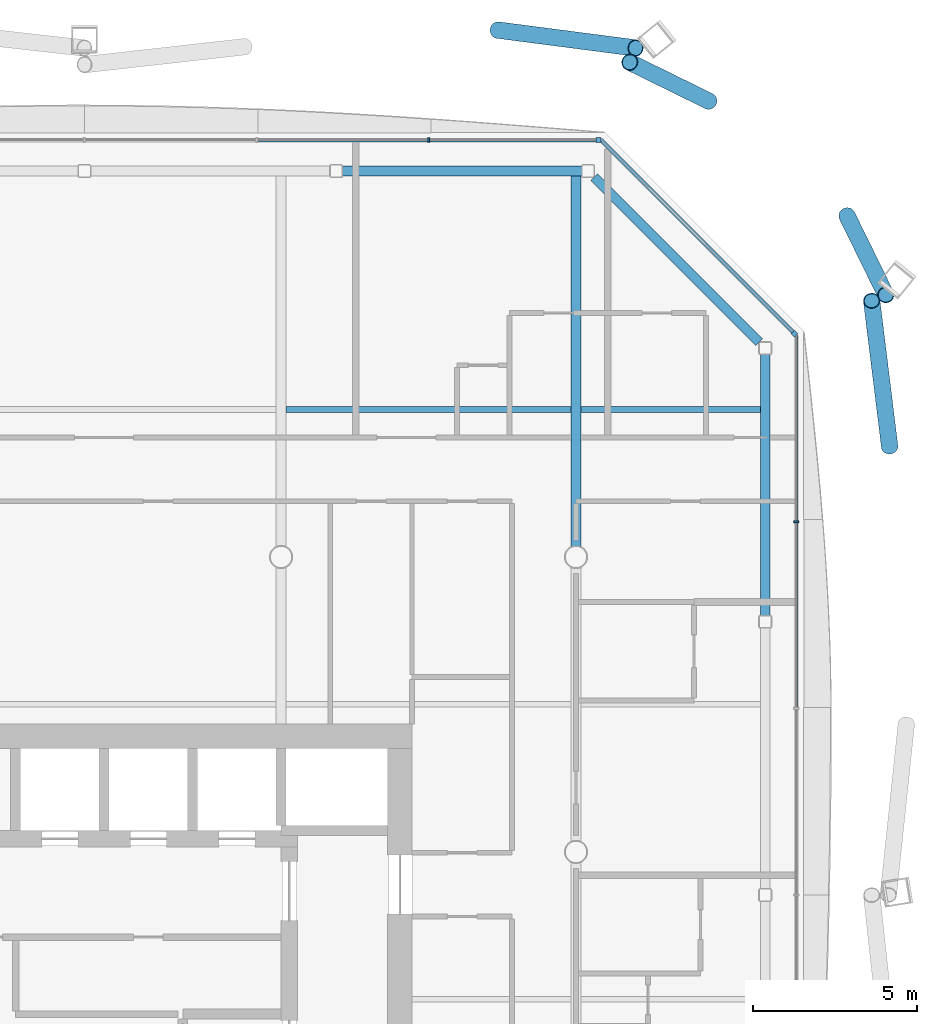
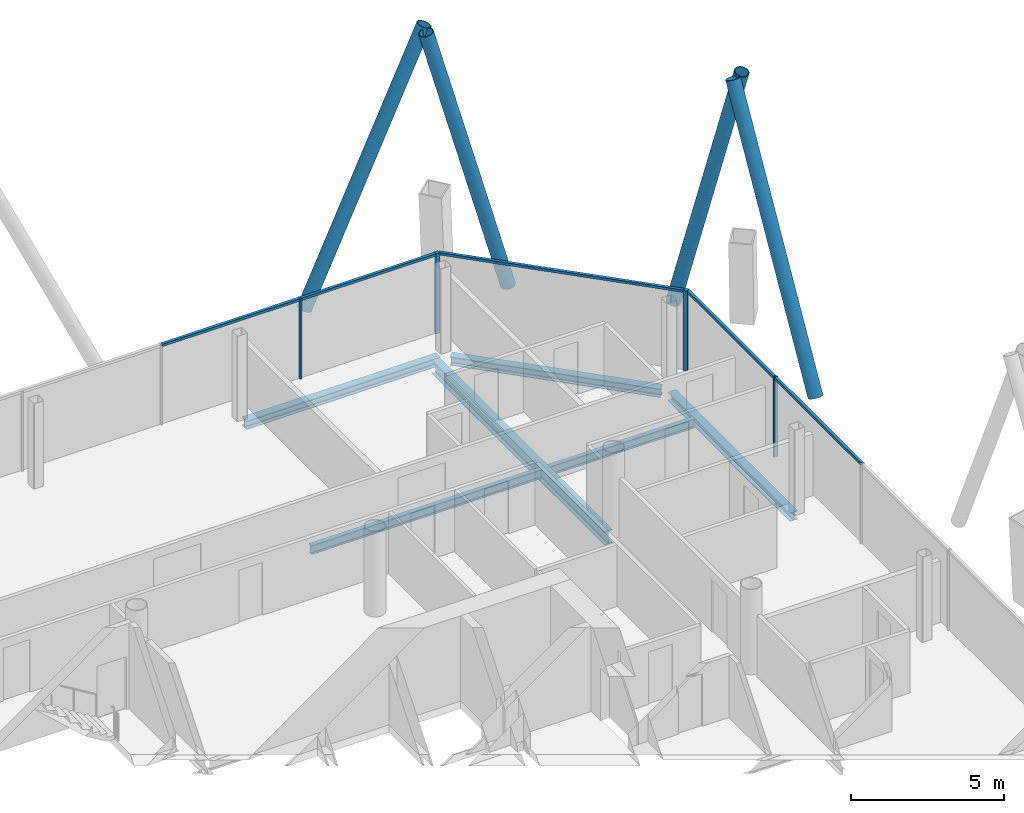
# One storey, part 12 of 20: 13 members, 6 beams, 3 elements without a shape of their own.
"""IFC4 building model written with IfcOpenShell, lengths in metres."""

from ifc_helpers import new_model, si_unit, direction, frame, origin, origin_2d, place, context, subcontext, project, spatial, rectangle, hollow_circle, i_section, extrude, material, material_profile, profile_set, type_object, element, aggregate, save


model = new_model("IFC4")

# Units and contexts
model_context = context("Model", 3, precision=1e-05, world=origin(), true_north=direction((0.0, 1.0)))
body_context = subcontext(model_context, "Body", "Model", "MODEL_VIEW")
ifc_project = project(units=[si_unit("LENGTHUNIT", "METRE"), si_unit("AREAUNIT", "SQUARE_METRE"), si_unit("VOLUMEUNIT", "CUBIC_METRE"), si_unit("PLANEANGLEUNIT", "RADIAN"), si_unit("MASSUNIT", "GRAM", prefix="KILO")], contexts=[model_context])

# Site, building, storey
site_placement = place(None, origin())
site = spatial("IfcSite", under=ifc_project, at=site_placement, CompositionType="ELEMENT")
building_placement = place(site_placement, origin())
building = spatial("IfcBuilding", under=site, at=building_placement, Name="Tskaro Facet Tower", CompositionType="ELEMENT")
storey_placement = place(building_placement, frame((0.0, 0.0, 152.10009765625)))
storey = spatial("IfcBuildingStorey", under=building, at=storey_placement, Name="L37", CompositionType="ELEMENT", Elevation=152.10009765625)

# Members
ifc_material_1 = material(Name="Steel S355J2H", Category="steel")
ifc_material_profile_1 = material_profile(ifc_material_1, hollow_circle(Radius=0.25390625, WallThickness=0.02490234375, at=origin_2d()), Name="CHS 508x25")
ifc_profile_set_1 = profile_set([ifc_material_profile_1], Name="Steel S355J2H")
member_type_1 = type_object("IfcMemberType", Name="CHS 508x25 brace", PredefinedType="BRACE", material=ifc_profile_set_1)
member_1_placement = place(storey_placement, frame((27.56982421875, 12.375, 0.0), z_axis=(-0.049180857001, 0.398947923347, 0.915653754299), x_axis=(-0.992486990841, -0.122350206419, 0.0)))
element("IfcMember", 1, at=member_1_placement, inside=storey, type_object=member_type_1, Name="CHS 508x25 XB05A/3", PredefinedType="BRACE", context=body_context, shape_type="SweptSolid", body=[
    extrude(hollow_circle(Radius=0.25390625, WallThickness=0.02490234375, at=origin_2d()), origin(), (0.0, 0.0, 1.0), 11.1396484375),
])
for number, where, z_axis, x_axis, name in (
    (2, (22.051513671875, 22.911865234375, 0.0), (-0.228679127936, 0.112302745825, 0.967002559317), (-0.440806291115, -0.897602258082, 0.0), "CHS 508x25 XB06A/3"),
    (3, (26.27099609375, 19.41064453125, 0.0), (0.112302745825, -0.228679127936, 0.967002559317), (0.897602258082, 0.440806291115, 0.0), "CHS 508x25 XB06B/3"),
):
    element("IfcMember", number, at=place(storey_placement, frame(where, z_axis=z_axis, x_axis=x_axis)), inside=storey, type_object=member_type_1, Name=name, PredefinedType="BRACE", context=body_context, shape_type="SweptSolid", body=[
        extrude(hollow_circle(Radius=0.25390625, WallThickness=0.02490234375, at=origin_2d()), origin(), (0.0, 0.0, 1.0), 10.548095703125),
    ])
member_2_placement = place(storey_placement, frame((15.6142578125, 25.07763671875, 0.0), z_axis=(0.380657351242, -0.049574083425, 0.923386371568), x_axis=(0.129142268384, 0.991626075956, 0.0)))
element("IfcMember", 4, at=member_2_placement, inside=storey, type_object=member_type_1, Name="CHS 508x25 XB07B/3", PredefinedType="BRACE", context=body_context, shape_type="SweptSolid", body=[
    extrude(hollow_circle(Radius=0.25390625, WallThickness=0.02490234375, at=origin_2d()), origin(), (0.0, 0.0, 1.0), 11.046142578125),
])

# Curtain wall, member
ifc_material_2 = material(Name="Bronze anodised aluminium 6063-T6", Category="aluminium")
curtain_wall_type = type_object("IfcCurtainWallType", Name="Bronze hotel curtain wall (FW2)", PredefinedType="NOTDEFINED", material=ifc_material_2)
curtain_wall_1_placement = place(storey_placement, origin())
curtain_wall_1 = element("IfcCurtainWall", 5, at=curtain_wall_1_placement, inside=storey, type_object=curtain_wall_type, Name="FW2 north-east facet L37", PredefinedType="NOTDEFINED")
ifc_material_profile_2 = material_profile(ifc_material_2, rectangle(XDim=0.14990234375, YDim=0.14990234375, at=origin_2d()), Name="Corner post 150x150")
ifc_profile_set_2 = profile_set([ifc_material_profile_2], Name="Bronze anodised aluminium 6063-T6")
member_type_2 = type_object("IfcMemberType", Name="FW2 bronze corner post 150x150", PredefinedType="MULLION", material=ifc_profile_set_2)
member_3_placement = place(storey_placement, frame((24.6708984375, 15.81396484375, 0.0), z_axis=(0.0, 0.0, 1.0), x_axis=(-0.707106781187, 0.707106781187, 0.0)))
member_3 = element("IfcMember", 6, at=member_3_placement, type_object=member_type_2, Name="FW2 north-east corner post", PredefinedType="MULLION", context=body_context, shape_type="SweptSolid", body=[
    extrude(rectangle(XDim=0.14990234375, YDim=0.14990234375, at=origin_2d()), origin(), (0.0, 0.0, 1.0), 3.199951171875),
])

curtain_wall_2_placement = place(storey_placement, origin())
curtain_wall_2 = element("IfcCurtainWall", 7, at=curtain_wall_2_placement, inside=storey, type_object=curtain_wall_type, Name="FW2 north facet L37", PredefinedType="NOTDEFINED")
member_4_placement = place(storey_placement, frame((18.68603515625, 21.72412109375, 0.0), z_axis=(0.0, 0.0, 1.0), x_axis=(-1.0, 0.0, 0.0)))
member_4 = element("IfcMember", 8, at=member_4_placement, type_object=member_type_2, Name="FW2 north corner post", PredefinedType="MULLION", context=body_context, shape_type="SweptSolid", body=[
    extrude(rectangle(XDim=0.14990234375, YDim=0.14990234375, at=origin_2d()), origin(), (0.0, 0.0, 1.0), 3.199951171875),
])

curtain_wall_3_placement = place(storey_placement, origin())
curtain_wall_3 = element("IfcCurtainWall", 9, at=curtain_wall_3_placement, inside=storey, type_object=curtain_wall_type, Name="FW2 east facet L37", PredefinedType="NOTDEFINED")
ifc_material_profile_3 = material_profile(ifc_material_2, rectangle(XDim=0.06005859375, YDim=0.14990234375, at=origin_2d()), Name="Mullion 60x150")
ifc_profile_set_3 = profile_set([ifc_material_profile_3], Name="Bronze anodised aluminium 6063-T6")
member_type_3 = type_object("IfcMemberType", Name="FW2 bronze mullion 60x150", PredefinedType="MULLION", material=ifc_profile_set_3)
member_5_placement = place(storey_placement, frame((24.72412109375, 10.06884765625, 0.0), z_axis=(0.0, 0.0, 1.0), x_axis=(0.0, 1.0, 0.0)))
member_5 = element("IfcMember", 10, at=member_5_placement, type_object=member_type_3, Name="FW2 east mullion 5", PredefinedType="MULLION", context=body_context, shape_type="SweptSolid", body=[
    extrude(rectangle(XDim=0.06005859375, YDim=0.14990234375, at=origin_2d()), origin(), (0.0, 0.0, 1.0), 3.199951171875),
])

# Member
member_6_placement = place(storey_placement, frame((13.50732421875, 21.72412109375, 0.0), z_axis=(0.0, 0.0, 1.0), x_axis=(-1.0, 0.0, 0.0)))
member_6 = element("IfcMember", 11, at=member_6_placement, type_object=member_type_3, Name="FW2 north mullion 1", PredefinedType="MULLION", context=body_context, shape_type="SweptSolid", body=[
    extrude(rectangle(XDim=0.06005859375, YDim=0.14990234375, at=origin_2d()), origin(), (0.0, 0.0, 1.0), 3.199951171875),
])

ifc_material_profile_4 = material_profile(ifc_material_2, rectangle(XDim=0.110107421875, YDim=0.10009765625, at=origin_2d()), Name="Transom 110x100")
ifc_profile_set_4 = profile_set([ifc_material_profile_4], Name="Bronze anodised aluminium 6063-T6")
member_type_4 = type_object("IfcMemberType", Name="FW2 bronze transom 110x100", PredefinedType="USERDEFINED", material=ifc_profile_set_4)
member_7_placement = place(storey_placement, frame((24.72412109375, 4.40673828125, 3.14990234375), z_axis=(0.0, 1.0, 0.0), x_axis=(-1.0, 0.0, 0.0)))
member_7 = element("IfcMember", 12, at=member_7_placement, type_object=member_type_4, Name="FW2 east transom 5.1", ObjectType="TRANSOM", PredefinedType="USERDEFINED", context=body_context, shape_type="SweptSolid", body=[
    extrude(rectangle(XDim=0.110107421875, YDim=0.10009765625, at=origin_2d()), origin(), (0.0, 0.0, 1.0), 5.632080078125),
])

member_8_placement = place(storey_placement, frame((24.72412109375, 10.098876953125, 3.14990234375), z_axis=(0.0, 1.0, 0.0), x_axis=(-1.0, 0.0, 0.0)))
member_8 = element("IfcMember", 13, at=member_8_placement, type_object=member_type_4, Name="FW2 east transom 6.1", ObjectType="TRANSOM", PredefinedType="USERDEFINED", context=body_context, shape_type="SweptSolid", body=[
    extrude(rectangle(XDim=0.110107421875, YDim=0.10009765625, at=origin_2d()), origin(), (0.0, 0.0, 1.0), 5.662109375),
])

aggregate(curtain_wall_3, [member_5, member_7, member_8])

member_9_placement = place(storey_placement, frame((24.617919921875, 15.8671875, 3.14990234375), z_axis=(-0.707106781187, 0.707106781187, 0.0), x_axis=(-0.707106781187, -0.707106781187, 0.0)))
member_9 = element("IfcMember", 14, at=member_9_placement, type_object=member_type_4, Name="FW2 north-east transom 1.1", ObjectType="TRANSOM", PredefinedType="USERDEFINED", context=body_context, shape_type="SweptSolid", body=[
    extrude(rectangle(XDim=0.110107421875, YDim=0.10009765625, at=origin_2d()), origin(), (0.0, 0.0, 1.0), 8.282958984375),
])

aggregate(curtain_wall_1, [member_3, member_9])

member_10_placement = place(storey_placement, frame((18.611083984375, 21.72412109375, 3.14990234375), z_axis=(-1.0, 0.0, 0.0), x_axis=(0.0, -1.0, 0.0)))
member_10 = element("IfcMember", 15, at=member_10_placement, type_object=member_type_4, Name="FW2 north transom 1.1", ObjectType="TRANSOM", PredefinedType="USERDEFINED", context=body_context, shape_type="SweptSolid", body=[
    extrude(rectangle(XDim=0.110107421875, YDim=0.10009765625, at=origin_2d()), origin(), (0.0, 0.0, 1.0), 5.07373046875),
])

member_11_placement = place(storey_placement, frame((13.477294921875, 21.72412109375, 3.14990234375), z_axis=(-1.0, 0.0, 0.0), x_axis=(0.0, -1.0, 0.0)))
member_11 = element("IfcMember", 16, at=member_11_placement, type_object=member_type_4, Name="FW2 north transom 2.1", ObjectType="TRANSOM", PredefinedType="USERDEFINED", context=body_context, shape_type="SweptSolid", body=[
    extrude(rectangle(XDim=0.110107421875, YDim=0.10009765625, at=origin_2d()), origin(), (0.0, 0.0, 1.0), 5.193603515625),
])

aggregate(curtain_wall_2, [member_4, member_6, member_10, member_11])

# Beams
ifc_material_3 = material(Name="Steel S355J2", Category="steel")
ifc_material_profile_5 = material_profile(ifc_material_3, i_section(OverallWidth=0.300048828125, OverallDepth=0.340087890625, WebThickness=0.011962890625, FlangeThickness=0.021484375, FilletRadius=0.027099609375, at=origin_2d()), Name="HE 340 B")
ifc_profile_set_5 = profile_set([ifc_material_profile_5], Name="Steel S355J2")
beam_type_1 = type_object("IfcBeamType", Name="HE 340 B ring beam", PredefinedType="BEAM", material=ifc_profile_set_5)
beam_1_placement = place(storey_placement, frame((23.77392578125, 7.2060546875, -0.31005859375), z_axis=(0.0, 1.0, 0.0), x_axis=(-1.0, 0.0, 0.0)))
element("IfcBeam", 17, at=beam_1_placement, inside=storey, type_object=beam_type_1, Name="HE 340 B EB9-3", PredefinedType="BEAM", context=body_context, shape_type="SweptSolid", body=[
    extrude(i_section(OverallWidth=0.300048828125, OverallDepth=0.340087890625, WebThickness=0.011962890625, FlangeThickness=0.021484375, FilletRadius=0.027099609375, at=origin_2d()), origin(), (0.0, 0.0, 1.0), 7.98193359375),
])
beam_2_placement = place(storey_placement, frame((23.588134765625, 15.553955078125, -0.31005859375), z_axis=(-0.707106781187, 0.707106781187, 0.0), x_axis=(-0.707106781187, -0.707106781187, 0.0)))
element("IfcBeam", 18, at=beam_2_placement, inside=storey, type_object=beam_type_1, Name="HE 340 B EB10-3", PredefinedType="BEAM", context=body_context, shape_type="SweptSolid", body=[
    extrude(i_section(OverallWidth=0.300048828125, OverallDepth=0.340087890625, WebThickness=0.011962890625, FlangeThickness=0.021484375, FilletRadius=0.027099609375, at=origin_2d()), origin(), (0.0, 0.0, 1.0), 7.119384765625),
])
beam_3_placement = place(storey_placement, frame((18.18798828125, 20.77392578125, -0.31005859375), z_axis=(-1.0, 0.0, 0.0), x_axis=(0.0, -1.0, 0.0)))
element("IfcBeam", 19, at=beam_3_placement, inside=storey, type_object=beam_type_1, Name="HE 340 B EB11-3", PredefinedType="BEAM", context=body_context, shape_type="SweptSolid", body=[
    extrude(i_section(OverallWidth=0.300048828125, OverallDepth=0.340087890625, WebThickness=0.011962890625, FlangeThickness=0.021484375, FilletRadius=0.027099609375, at=origin_2d()), origin(), (0.0, 0.0, 1.0), 7.323974609375),
])
ifc_material_profile_6 = material_profile(ifc_material_3, i_section(OverallWidth=0.300048828125, OverallDepth=0.5400390625, WebThickness=0.012451171875, FlangeThickness=0.02392578125, FilletRadius=0.027099609375, at=origin_2d()), Name="HE 550 A")
ifc_profile_set_6 = profile_set([ifc_material_profile_6], Name="Steel S355J2")
beam_type_2 = type_object("IfcBeamType", Name="HE 550 A long girder", PredefinedType="BEAM", material=ifc_profile_set_6)
beam_4_placement = place(storey_placement, frame((18.0, 9.325439453125, -0.41015625), z_axis=(0.0, 1.0, 0.0), x_axis=(-1.0, 0.0, 0.0)))
element("IfcBeam", 20, at=beam_4_placement, inside=storey, type_object=beam_type_2, Name="HE 550 A LGB6-4-3", PredefinedType="BEAM", context=body_context, shape_type="SweptSolid", body=[
    extrude(i_section(OverallWidth=0.300048828125, OverallDepth=0.5400390625, WebThickness=0.012451171875, FlangeThickness=0.02392578125, FilletRadius=0.027099609375, at=origin_2d()), origin(), (0.0, 0.0, 1.0), 11.298583984375),
])
ifc_material_profile_7 = material_profile(ifc_material_3, i_section(OverallWidth=0.169921875, OverallDepth=0.360107421875, WebThickness=0.008056640625, FlangeThickness=0.0126953125, FilletRadius=0.01806640625, at=origin_2d()), Name="IPE 360")
ifc_profile_set_7 = profile_set([ifc_material_profile_7], Name="Steel S355J2")
beam_type_3 = type_object("IfcBeamType", Name="IPE 360 secondary beam", PredefinedType="BEAM", material=ifc_profile_set_7)
beam_5_placement = place(storey_placement, frame((9.14990234375, 13.5, -0.320068359375), z_axis=(1.0, 0.0, 0.0), x_axis=(0.0, 1.0, 0.0)))
element("IfcBeam", 21, at=beam_5_placement, inside=storey, type_object=beam_type_3, Name="IPE 360 SB5a-4-3", PredefinedType="BEAM", context=body_context, shape_type="SweptSolid", body=[
    extrude(i_section(OverallWidth=0.169921875, OverallDepth=0.360107421875, WebThickness=0.008056640625, FlangeThickness=0.0126953125, FilletRadius=0.01806640625, at=origin_2d()), origin(), (0.0, 0.0, 1.0), 8.7001953125),
])
beam_6_placement = place(storey_placement, frame((18.14990234375, 13.5, -0.320068359375), z_axis=(1.0, 0.0, 0.0), x_axis=(0.0, 1.0, 0.0)))
element("IfcBeam", 22, at=beam_6_placement, inside=storey, type_object=beam_type_3, Name="IPE 360 SB5a-5-3", PredefinedType="BEAM", context=body_context, shape_type="SweptSolid", body=[
    extrude(i_section(OverallWidth=0.169921875, OverallDepth=0.360107421875, WebThickness=0.008056640625, FlangeThickness=0.0126953125, FilletRadius=0.01806640625, at=origin_2d()), origin(), (0.0, 0.0, 1.0), 5.47412109375),
])

save(model, "model.ifc")
